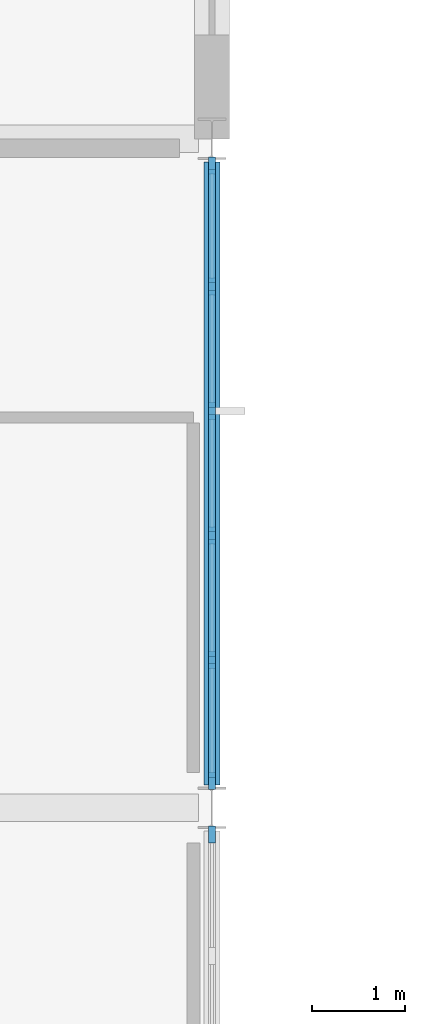
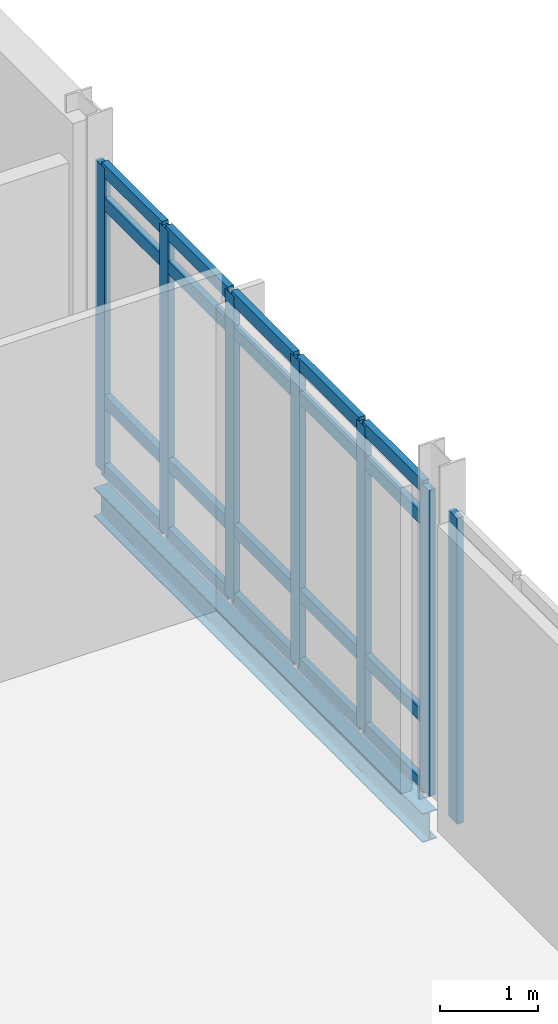
# One storey, part 34 of 76: 27 members, 1 beam, 2 elements without a shape of their own.
"""IFC4 building model written with IfcOpenShell, lengths in metres."""

from ifc_helpers import new_model, si_unit, direction, frame, origin, origin_2d, place, context, subcontext, project, spatial, rectangle, i_section, extrude, material, layer, layer_set, material_profile, profile_set, type_object, element, aggregate, save


model = new_model("IFC4")

# Units and contexts
model_context = context("Model", 3, precision=1e-05, world=origin(), true_north=direction((0.0, 1.0)))
body_context = subcontext(model_context, "Body", "Model", "MODEL_VIEW")
ifc_project = project(units=[si_unit("LENGTHUNIT", "METRE"), si_unit("AREAUNIT", "SQUARE_METRE"), si_unit("VOLUMEUNIT", "CUBIC_METRE"), si_unit("PLANEANGLEUNIT", "RADIAN"), si_unit("MASSUNIT", "GRAM", prefix="KILO")], contexts=[model_context])

# Site, building, storey
site_placement = place(None, origin())
site = spatial("IfcSite", under=ifc_project, at=site_placement, CompositionType="ELEMENT")
building_placement = place(site_placement, origin())
building = spatial("IfcBuilding", under=site, at=building_placement, Name="Zarrinpeak Specialist Clinic", CompositionType="ELEMENT")
storey_placement = place(building_placement, frame((0.0, 0.0, 5.199951171875)))
storey = spatial("IfcBuildingStorey", under=building, at=storey_placement, Name="L01", CompositionType="ELEMENT", Elevation=5.199951171875)

# Beam
ifc_material_1 = material(Name="Steel S355", Category="steel")
ifc_material_profile_1 = material_profile(ifc_material_1, i_section(OverallWidth=0.169921875, OverallDepth=0.360107421875, WebThickness=0.008056640625, FlangeThickness=0.0126953125, FilletRadius=0.01806640625, at=origin_2d()), Name="IPE 360")
ifc_profile_set_1 = profile_set([ifc_material_profile_1], Name="Steel S355")
beam_type = type_object("IfcBeamType", Name="BM-SP360", PredefinedType="SPANDREL", material=ifc_profile_set_1)
beam_placement = place(storey_placement, frame((64.800048828125, 96.64794921875, -0.409912109375), z_axis=(0.0, 1.0, 0.0), x_axis=(-1.0, 0.0, 0.0)))
element("IfcBeam", 1, at=beam_placement, inside=storey, type_object=beam_type, Name="L01 Perimeter Spandrel Beam BM-L01-Y0920", PredefinedType="SPANDREL", context=body_context, shape_type="SweptSolid", body=[
    extrude(i_section(OverallWidth=0.169921875, OverallDepth=0.360107421875, WebThickness=0.008056640625, FlangeThickness=0.0126953125, FilletRadius=0.01806640625, at=origin_2d()), origin(), (0.0, 0.0, 1.0), 6.7041015625),
])

# Curtain wall, member
ifc_material_2 = material(Name="Anodised Aluminium Alloy 6063-T6", Category="aluminium")
ifc_layer = layer(ifc_material_2, 0.1650390625)
ifc_layer_set = layer_set([ifc_layer], Name="Anodised Aluminium Alloy 6063-T6")
curtain_wall_type = type_object("IfcCurtainWallType", Name="CW-CLINIC", PredefinedType="NOTDEFINED", material=ifc_layer_set)
curtain_wall_1_placement = place(storey_placement, origin())
curtain_wall_1 = element("IfcCurtainWall", 2, at=curtain_wall_1_placement, inside=storey, type_object=curtain_wall_type, Name="L01 V6 Unitised Curtain Wall CW-L01-V6-139", PredefinedType="NOTDEFINED")
ifc_material_profile_2 = material_profile(ifc_material_2, rectangle(XDim=0.074951171875, YDim=0.179931640625, at=origin_2d()), Name="ALU 75x180")
ifc_profile_set_2 = profile_set([ifc_material_profile_2], Name="Anodised Aluminium Alloy 6063-T6")
member_type_1 = type_object("IfcMemberType", Name="CWM-75", PredefinedType="MULLION", material=ifc_profile_set_2)
member_1_placement = place(storey_placement, frame((64.800048828125, 96.112548828125, 0.0), z_axis=(0.0, 0.0, 1.0), x_axis=(-1.0, 0.0, 0.0)))
member_1 = element("IfcMember", 3, at=member_1_placement, type_object=member_type_1, Name="CW-03 mullion 6", PredefinedType="MULLION", context=body_context, shape_type="SweptSolid", body=[
    extrude(rectangle(XDim=0.074951171875, YDim=0.179931640625, at=origin_2d()), origin(), (0.0, 0.0, 1.0), 3.81005859375),
])
aggregate(curtain_wall_1, [member_1])

# Curtain wall, members
curtain_wall_2_placement = place(storey_placement, origin())
curtain_wall_2 = element("IfcCurtainWall", 4, at=curtain_wall_2_placement, inside=storey, type_object=curtain_wall_type, Name="L01 V6 Unitised Curtain Wall CW-L01-V6-140", PredefinedType="NOTDEFINED")
member_2_placement = place(storey_placement, frame((64.800048828125, 96.6875, 0.0), z_axis=(0.0, 0.0, 1.0), x_axis=(-1.0, 0.0, 0.0)))
member_2 = element("IfcMember", 5, at=member_2_placement, type_object=member_type_1, Name="CW-03 mullion 1", PredefinedType="MULLION", context=body_context, shape_type="SweptSolid", body=[
    extrude(rectangle(XDim=0.074951171875, YDim=0.179931640625, at=origin_2d()), origin(), (0.0, 0.0, 1.0), 3.81005859375),
])
member_3_placement = place(storey_placement, frame((64.800048828125, 97.989990234375, 0.0), z_axis=(0.0, 0.0, 1.0), x_axis=(-1.0, 0.0, 0.0)))
member_3 = element("IfcMember", 6, at=member_3_placement, type_object=member_type_1, Name="CW-03 mullion 2", PredefinedType="MULLION", context=body_context, shape_type="SweptSolid", body=[
    extrude(rectangle(XDim=0.074951171875, YDim=0.179931640625, at=origin_2d()), origin(), (0.0, 0.0, 1.0), 3.81005859375),
])
member_4_placement = place(storey_placement, frame((64.800048828125, 99.330078125, 0.0), z_axis=(0.0, 0.0, 1.0), x_axis=(-1.0, 0.0, 0.0)))
member_4 = element("IfcMember", 7, at=member_4_placement, type_object=member_type_1, Name="CW-03 mullion 3", PredefinedType="MULLION", context=body_context, shape_type="SweptSolid", body=[
    extrude(rectangle(XDim=0.074951171875, YDim=0.179931640625, at=origin_2d()), origin(), (0.0, 0.0, 1.0), 3.81005859375),
])
member_5_placement = place(storey_placement, frame((64.800048828125, 100.669921875, 0.0), z_axis=(0.0, 0.0, 1.0), x_axis=(-1.0, 0.0, 0.0)))
member_5 = element("IfcMember", 8, at=member_5_placement, type_object=member_type_1, Name="CW-03 mullion 4", PredefinedType="MULLION", context=body_context, shape_type="SweptSolid", body=[
    extrude(rectangle(XDim=0.074951171875, YDim=0.179931640625, at=origin_2d()), origin(), (0.0, 0.0, 1.0), 3.81005859375),
])
member_6_placement = place(storey_placement, frame((64.800048828125, 102.010009765625, 0.0), z_axis=(0.0, 0.0, 1.0), x_axis=(-1.0, 0.0, 0.0)))
member_6 = element("IfcMember", 9, at=member_6_placement, type_object=member_type_1, Name="CW-03 mullion 5", PredefinedType="MULLION", context=body_context, shape_type="SweptSolid", body=[
    extrude(rectangle(XDim=0.074951171875, YDim=0.179931640625, at=origin_2d()), origin(), (0.0, 0.0, 1.0), 3.81005859375),
])
member_7_placement = place(storey_placement, frame((64.800048828125, 103.3125, 0.0), z_axis=(0.0, 0.0, 1.0), x_axis=(-1.0, 0.0, 0.0)))
member_7 = element("IfcMember", 10, at=member_7_placement, type_object=member_type_1, Name="CW-03 mullion 6", PredefinedType="MULLION", context=body_context, shape_type="SweptSolid", body=[
    extrude(rectangle(XDim=0.074951171875, YDim=0.179931640625, at=origin_2d()), origin(), (0.0, 0.0, 1.0), 3.81005859375),
])
ifc_material_profile_3 = material_profile(ifc_material_2, rectangle(XDim=0.074951171875, YDim=0.159912109375, at=origin_2d()), Name="ALU 75x160")
ifc_profile_set_3 = profile_set([ifc_material_profile_3], Name="Anodised Aluminium Alloy 6063-T6")
member_type_2 = type_object("IfcMemberType", Name="CWT-75", PredefinedType="USERDEFINED", material=ifc_profile_set_3)
member_8_placement = place(storey_placement, frame((64.800048828125, 96.72509765625, 0.03759765625), z_axis=(0.0, 1.0, 0.0), x_axis=(-1.0, 0.0, 0.0)))
member_8 = element("IfcMember", 11, at=member_8_placement, type_object=member_type_2, Name="CW-03 transom 1.1", ObjectType="TRANSOM", PredefinedType="USERDEFINED", context=body_context, shape_type="SweptSolid", body=[
    extrude(rectangle(XDim=0.074951171875, YDim=0.159912109375, at=origin_2d()), origin(), (0.0, 0.0, 1.0), 1.227294921875),
])
member_9_placement = place(storey_placement, frame((64.800048828125, 96.72509765625, 0.900146484375), z_axis=(0.0, 1.0, 0.0), x_axis=(-1.0, 0.0, 0.0)))
member_9 = element("IfcMember", 12, at=member_9_placement, type_object=member_type_2, Name="CW-03 transom 1.2", ObjectType="TRANSOM", PredefinedType="USERDEFINED", context=body_context, shape_type="SweptSolid", body=[
    extrude(rectangle(XDim=0.074951171875, YDim=0.159912109375, at=origin_2d()), origin(), (0.0, 0.0, 1.0), 1.227294921875),
])
member_10_placement = place(storey_placement, frame((64.800048828125, 96.72509765625, 3.360107421875), z_axis=(0.0, 1.0, 0.0), x_axis=(-1.0, 0.0, 0.0)))
member_10 = element("IfcMember", 13, at=member_10_placement, type_object=member_type_2, Name="CW-03 transom 1.3", ObjectType="TRANSOM", PredefinedType="USERDEFINED", context=body_context, shape_type="SweptSolid", body=[
    extrude(rectangle(XDim=0.074951171875, YDim=0.159912109375, at=origin_2d()), origin(), (0.0, 0.0, 1.0), 1.227294921875),
])
member_11_placement = place(storey_placement, frame((64.800048828125, 96.72509765625, 3.7724609375), z_axis=(0.0, 1.0, 0.0), x_axis=(-1.0, 0.0, 0.0)))
member_11 = element("IfcMember", 14, at=member_11_placement, type_object=member_type_2, Name="CW-03 transom 1.4", ObjectType="TRANSOM", PredefinedType="USERDEFINED", context=body_context, shape_type="SweptSolid", body=[
    extrude(rectangle(XDim=0.074951171875, YDim=0.159912109375, at=origin_2d()), origin(), (0.0, 0.0, 1.0), 1.227294921875),
])
member_12_placement = place(storey_placement, frame((64.800048828125, 98.027587890625, 0.03759765625), z_axis=(0.0, 1.0, 0.0), x_axis=(-1.0, 0.0, 0.0)))
member_12 = element("IfcMember", 15, at=member_12_placement, type_object=member_type_2, Name="CW-03 transom 2.1", ObjectType="TRANSOM", PredefinedType="USERDEFINED", context=body_context, shape_type="SweptSolid", body=[
    extrude(rectangle(XDim=0.074951171875, YDim=0.159912109375, at=origin_2d()), origin(), (0.0, 0.0, 1.0), 1.264892578125),
])
member_13_placement = place(storey_placement, frame((64.800048828125, 98.027587890625, 0.900146484375), z_axis=(0.0, 1.0, 0.0), x_axis=(-1.0, 0.0, 0.0)))
member_13 = element("IfcMember", 16, at=member_13_placement, type_object=member_type_2, Name="CW-03 transom 2.2", ObjectType="TRANSOM", PredefinedType="USERDEFINED", context=body_context, shape_type="SweptSolid", body=[
    extrude(rectangle(XDim=0.074951171875, YDim=0.159912109375, at=origin_2d()), origin(), (0.0, 0.0, 1.0), 1.264892578125),
])
member_14_placement = place(storey_placement, frame((64.800048828125, 98.027587890625, 3.360107421875), z_axis=(0.0, 1.0, 0.0), x_axis=(-1.0, 0.0, 0.0)))
member_14 = element("IfcMember", 17, at=member_14_placement, type_object=member_type_2, Name="CW-03 transom 2.3", ObjectType="TRANSOM", PredefinedType="USERDEFINED", context=body_context, shape_type="SweptSolid", body=[
    extrude(rectangle(XDim=0.074951171875, YDim=0.159912109375, at=origin_2d()), origin(), (0.0, 0.0, 1.0), 1.264892578125),
])
member_15_placement = place(storey_placement, frame((64.800048828125, 98.027587890625, 3.7724609375), z_axis=(0.0, 1.0, 0.0), x_axis=(-1.0, 0.0, 0.0)))
member_15 = element("IfcMember", 18, at=member_15_placement, type_object=member_type_2, Name="CW-03 transom 2.4", ObjectType="TRANSOM", PredefinedType="USERDEFINED", context=body_context, shape_type="SweptSolid", body=[
    extrude(rectangle(XDim=0.074951171875, YDim=0.159912109375, at=origin_2d()), origin(), (0.0, 0.0, 1.0), 1.264892578125),
])
member_16_placement = place(storey_placement, frame((64.800048828125, 99.367431640625, 0.03759765625), z_axis=(0.0, 1.0, 0.0), x_axis=(-1.0, 0.0, 0.0)))
member_16 = element("IfcMember", 19, at=member_16_placement, type_object=member_type_2, Name="CW-03 transom 3.1", ObjectType="TRANSOM", PredefinedType="USERDEFINED", context=body_context, shape_type="SweptSolid", body=[
    extrude(rectangle(XDim=0.074951171875, YDim=0.159912109375, at=origin_2d()), origin(), (0.0, 0.0, 1.0), 1.26513671875),
])
member_17_placement = place(storey_placement, frame((64.800048828125, 99.367431640625, 0.900146484375), z_axis=(0.0, 1.0, 0.0), x_axis=(-1.0, 0.0, 0.0)))
member_17 = element("IfcMember", 20, at=member_17_placement, type_object=member_type_2, Name="CW-03 transom 3.2", ObjectType="TRANSOM", PredefinedType="USERDEFINED", context=body_context, shape_type="SweptSolid", body=[
    extrude(rectangle(XDim=0.074951171875, YDim=0.159912109375, at=origin_2d()), origin(), (0.0, 0.0, 1.0), 1.26513671875),
])
member_18_placement = place(storey_placement, frame((64.800048828125, 99.367431640625, 3.360107421875), z_axis=(0.0, 1.0, 0.0), x_axis=(-1.0, 0.0, 0.0)))
member_18 = element("IfcMember", 21, at=member_18_placement, type_object=member_type_2, Name="CW-03 transom 3.3", ObjectType="TRANSOM", PredefinedType="USERDEFINED", context=body_context, shape_type="SweptSolid", body=[
    extrude(rectangle(XDim=0.074951171875, YDim=0.159912109375, at=origin_2d()), origin(), (0.0, 0.0, 1.0), 1.26513671875),
])
member_19_placement = place(storey_placement, frame((64.800048828125, 99.367431640625, 3.7724609375), z_axis=(0.0, 1.0, 0.0), x_axis=(-1.0, 0.0, 0.0)))
member_19 = element("IfcMember", 22, at=member_19_placement, type_object=member_type_2, Name="CW-03 transom 3.4", ObjectType="TRANSOM", PredefinedType="USERDEFINED", context=body_context, shape_type="SweptSolid", body=[
    extrude(rectangle(XDim=0.074951171875, YDim=0.159912109375, at=origin_2d()), origin(), (0.0, 0.0, 1.0), 1.26513671875),
])
member_20_placement = place(storey_placement, frame((64.800048828125, 100.70751953125, 0.03759765625), z_axis=(0.0, 1.0, 0.0), x_axis=(-1.0, 0.0, 0.0)))
member_20 = element("IfcMember", 23, at=member_20_placement, type_object=member_type_2, Name="CW-03 transom 4.1", ObjectType="TRANSOM", PredefinedType="USERDEFINED", context=body_context, shape_type="SweptSolid", body=[
    extrude(rectangle(XDim=0.074951171875, YDim=0.159912109375, at=origin_2d()), origin(), (0.0, 0.0, 1.0), 1.264892578125),
])
member_21_placement = place(storey_placement, frame((64.800048828125, 100.70751953125, 0.900146484375), z_axis=(0.0, 1.0, 0.0), x_axis=(-1.0, 0.0, 0.0)))
member_21 = element("IfcMember", 24, at=member_21_placement, type_object=member_type_2, Name="CW-03 transom 4.2", ObjectType="TRANSOM", PredefinedType="USERDEFINED", context=body_context, shape_type="SweptSolid", body=[
    extrude(rectangle(XDim=0.074951171875, YDim=0.159912109375, at=origin_2d()), origin(), (0.0, 0.0, 1.0), 1.264892578125),
])
member_22_placement = place(storey_placement, frame((64.800048828125, 100.70751953125, 3.360107421875), z_axis=(0.0, 1.0, 0.0), x_axis=(-1.0, 0.0, 0.0)))
member_22 = element("IfcMember", 25, at=member_22_placement, type_object=member_type_2, Name="CW-03 transom 4.3", ObjectType="TRANSOM", PredefinedType="USERDEFINED", context=body_context, shape_type="SweptSolid", body=[
    extrude(rectangle(XDim=0.074951171875, YDim=0.159912109375, at=origin_2d()), origin(), (0.0, 0.0, 1.0), 1.264892578125),
])
member_23_placement = place(storey_placement, frame((64.800048828125, 100.70751953125, 3.7724609375), z_axis=(0.0, 1.0, 0.0), x_axis=(-1.0, 0.0, 0.0)))
member_23 = element("IfcMember", 26, at=member_23_placement, type_object=member_type_2, Name="CW-03 transom 4.4", ObjectType="TRANSOM", PredefinedType="USERDEFINED", context=body_context, shape_type="SweptSolid", body=[
    extrude(rectangle(XDim=0.074951171875, YDim=0.159912109375, at=origin_2d()), origin(), (0.0, 0.0, 1.0), 1.264892578125),
])
member_24_placement = place(storey_placement, frame((64.800048828125, 102.047607421875, 0.03759765625), z_axis=(0.0, 1.0, 0.0), x_axis=(-1.0, 0.0, 0.0)))
member_24 = element("IfcMember", 27, at=member_24_placement, type_object=member_type_2, Name="CW-03 transom 5.1", ObjectType="TRANSOM", PredefinedType="USERDEFINED", context=body_context, shape_type="SweptSolid", body=[
    extrude(rectangle(XDim=0.074951171875, YDim=0.159912109375, at=origin_2d()), origin(), (0.0, 0.0, 1.0), 1.227294921875),
])
member_25_placement = place(storey_placement, frame((64.800048828125, 102.047607421875, 0.900146484375), z_axis=(0.0, 1.0, 0.0), x_axis=(-1.0, 0.0, 0.0)))
member_25 = element("IfcMember", 28, at=member_25_placement, type_object=member_type_2, Name="CW-03 transom 5.2", ObjectType="TRANSOM", PredefinedType="USERDEFINED", context=body_context, shape_type="SweptSolid", body=[
    extrude(rectangle(XDim=0.074951171875, YDim=0.159912109375, at=origin_2d()), origin(), (0.0, 0.0, 1.0), 1.227294921875),
])
member_26_placement = place(storey_placement, frame((64.800048828125, 102.047607421875, 3.360107421875), z_axis=(0.0, 1.0, 0.0), x_axis=(-1.0, 0.0, 0.0)))
member_26 = element("IfcMember", 29, at=member_26_placement, type_object=member_type_2, Name="CW-03 transom 5.3", ObjectType="TRANSOM", PredefinedType="USERDEFINED", context=body_context, shape_type="SweptSolid", body=[
    extrude(rectangle(XDim=0.074951171875, YDim=0.159912109375, at=origin_2d()), origin(), (0.0, 0.0, 1.0), 1.227294921875),
])
member_27_placement = place(storey_placement, frame((64.800048828125, 102.047607421875, 3.7724609375), z_axis=(0.0, 1.0, 0.0), x_axis=(-1.0, 0.0, 0.0)))
member_27 = element("IfcMember", 30, at=member_27_placement, type_object=member_type_2, Name="CW-03 transom 5.4", ObjectType="TRANSOM", PredefinedType="USERDEFINED", context=body_context, shape_type="SweptSolid", body=[
    extrude(rectangle(XDim=0.074951171875, YDim=0.159912109375, at=origin_2d()), origin(), (0.0, 0.0, 1.0), 1.227294921875),
])
aggregate(curtain_wall_2, [member_2, member_3, member_4, member_5, member_6, member_7, member_8, member_9, member_10, member_11, member_12, member_13, member_14, member_15, member_16, member_17, member_18, member_19, member_20, member_21, member_22, member_23, member_24, member_25, member_26, member_27])

save(model, "model.ifc")
